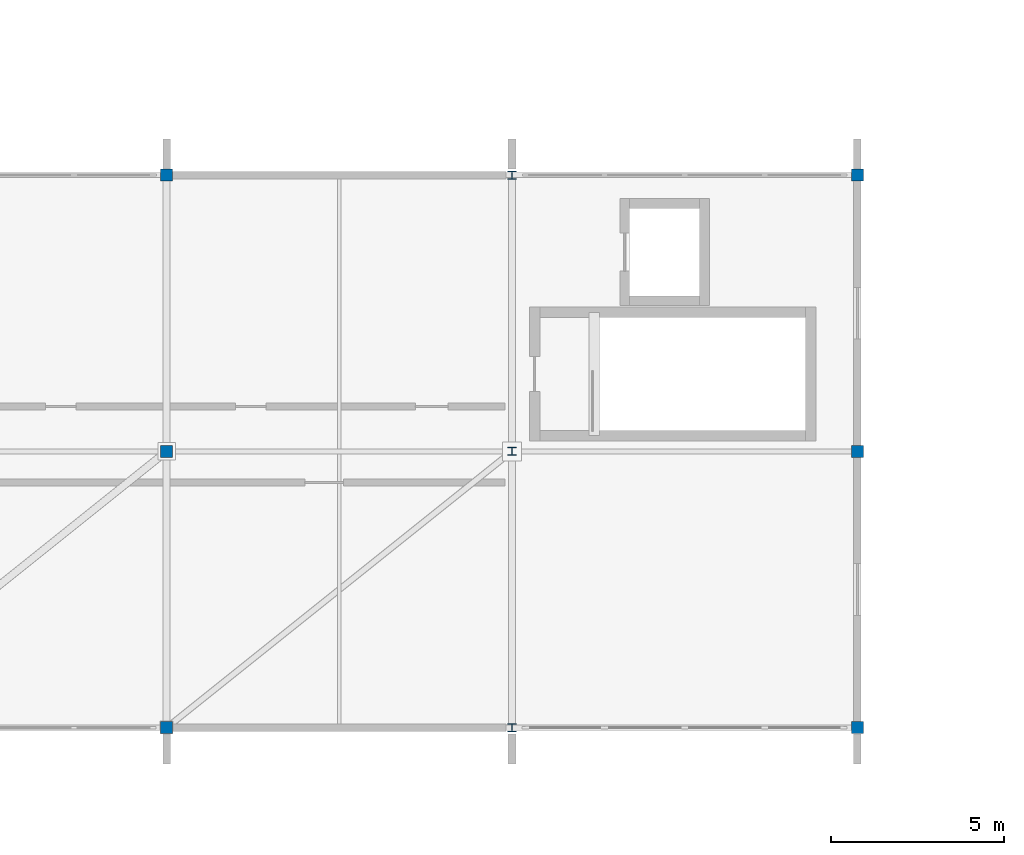
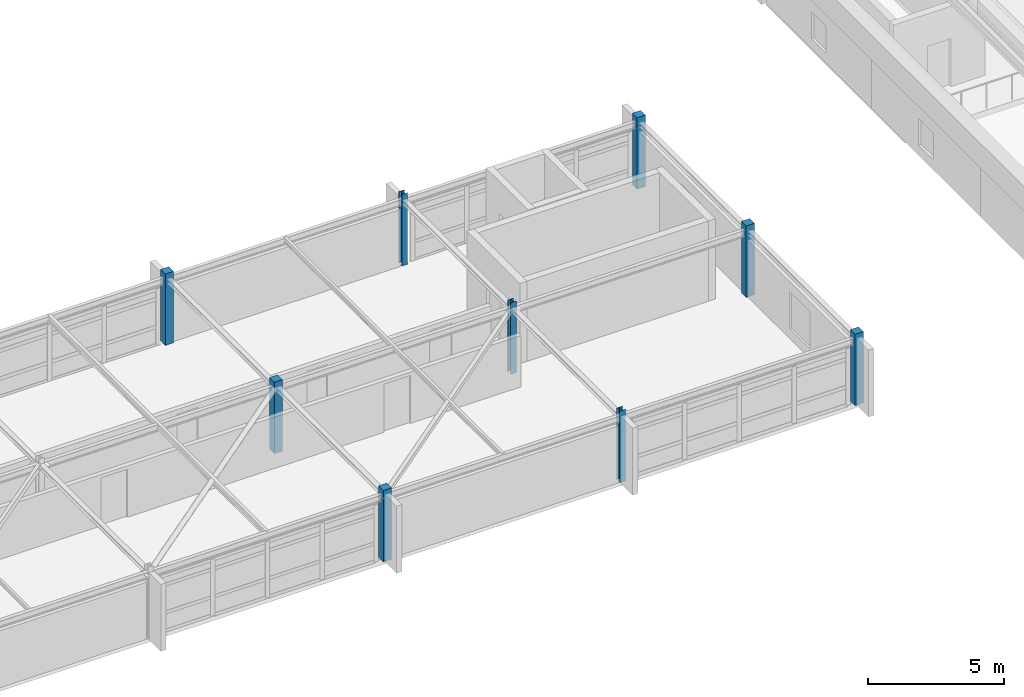
# One storey, part 3 of 83: 9 columns.
"""IFC4 building model written with IfcOpenShell, lengths in metres."""

from ifc_helpers import new_model, si_unit, direction, frame, origin, origin_2d, place, context, subcontext, project, spatial, rectangle, i_section, extrude, material, material_profile, profile_set, type_object, element, save


model = new_model("IFC4")

# Units and contexts
model_context = context("Model", 3, precision=1e-05, world=origin(), true_north=direction((0.0, 1.0)))
body_context = subcontext(model_context, "Body", "Model", "MODEL_VIEW")
ifc_project = project(units=[si_unit("LENGTHUNIT", "METRE"), si_unit("AREAUNIT", "SQUARE_METRE"), si_unit("VOLUMEUNIT", "CUBIC_METRE"), si_unit("PLANEANGLEUNIT", "RADIAN"), si_unit("MASSUNIT", "GRAM", prefix="KILO")], contexts=[model_context])

# Site, building, storey
site_placement = place(None, origin())
site = spatial("IfcSite", under=ifc_project, at=site_placement, CompositionType="ELEMENT")
building_placement = place(site_placement, origin())
building = spatial("IfcBuilding", under=site, at=building_placement, Name="Zimvara Arc Housing Community", CompositionType="ELEMENT")
storey_placement = place(building_placement, frame((0.0, 0.0, 4.5)))
storey = spatial("IfcBuildingStorey", under=building, at=storey_placement, Name="L01", CompositionType="ELEMENT", Elevation=4.5)

# Columns
ifc_material_1 = material(Name="Concrete C40/50", Category="concrete")
ifc_material_profile_1 = material_profile(ifc_material_1, rectangle(XDim=0.35009765625, YDim=0.35009765625, at=origin_2d()), Name="RC 350x350")
ifc_profile_set_1 = profile_set([ifc_material_profile_1], Name="Concrete C40/50")
column_type_1 = type_object("IfcColumnType", Name="COL-RC-350x350", PredefinedType="COLUMN", material=ifc_profile_set_1)
for number, where, z_axis, x_axis, name in (
    (1, (38.0, 3.60009765625, 0.0), (0.0, 0.0, 1.0), (1.0, 0.0, 0.0), "col:shops:L01:x4:y0"),
    (2, (38.0, 11.60009765625, 0.0), (0.0, 0.0, 1.0), (1.0, 0.0, 0.0), "col:shops:L01:x4:y1"),
    (3, (38.0, 19.60009765625, 0.0), (0.0, 0.0, 1.0), (1.0, 0.0, 0.0), "col:shops:L01:x4:y2"),
    (4, (58.0, 3.60009765625, 0.0), (0.0, 0.0, 1.0), (1.0, 0.0, 0.0), "col:shops:L01:x6:y0"),
    (5, (58.0, 11.60009765625, 0.0), (0.0, 0.0, 1.0), (1.0, 0.0, 0.0), "col:shops:L01:x6:y1"),
    (6, (58.0, 19.60009765625, 0.0), (0.0, 0.0, 1.0), (1.0, 0.0, 0.0), "col:shops:L01:x6:y2"),
):
    element("IfcColumn", number, at=place(storey_placement, frame(where, z_axis=z_axis, x_axis=x_axis)), inside=storey, type_object=column_type_1, Name=name, PredefinedType="COLUMN", context=body_context, shape_type="SweptSolid", body=[
        extrude(rectangle(XDim=0.35009765625, YDim=0.35009765625, at=origin_2d()), origin(), (0.0, 0.0, 1.0), 3.199951171875),
    ])
ifc_material_2 = material(Name="Steel S355", Category="steel")
ifc_material_profile_2 = material_profile(ifc_material_2, i_section(OverallWidth=0.239990234375, OverallDepth=0.22998046875, WebThickness=0.007568359375, FlangeThickness=0.011962890625, FilletRadius=0.02099609375, at=origin_2d()), Name="HEA 240")
ifc_profile_set_2 = profile_set([ifc_material_profile_2], Name="Steel S355")
column_type_2 = type_object("IfcColumnType", Name="COL-ST-HEA240", PredefinedType="COLUMN", material=ifc_profile_set_2)
for number, where, z_axis, x_axis, name in (
    (7, (48.0, 3.60009765625, 0.0), (0.0, 0.0, 1.0), (1.0, 0.0, 0.0), "col:shops:L01:x5:y0"),
    (8, (48.0, 11.60009765625, 0.0), (0.0, 0.0, 1.0), (1.0, 0.0, 0.0), "col:shops:L01:x5:y1"),
    (9, (48.0, 19.60009765625, 0.0), (0.0, 0.0, 1.0), (1.0, 0.0, 0.0), "col:shops:L01:x5:y2"),
):
    element("IfcColumn", number, at=place(storey_placement, frame(where, z_axis=z_axis, x_axis=x_axis)), inside=storey, type_object=column_type_2, Name=name, PredefinedType="COLUMN", context=body_context, shape_type="SweptSolid", body=[
        extrude(i_section(OverallWidth=0.239990234375, OverallDepth=0.22998046875, WebThickness=0.007568359375, FlangeThickness=0.011962890625, FilletRadius=0.02099609375, at=origin_2d()), origin(), (0.0, 0.0, 1.0), 3.199951171875),
    ])

save(model, "model.ifc")
